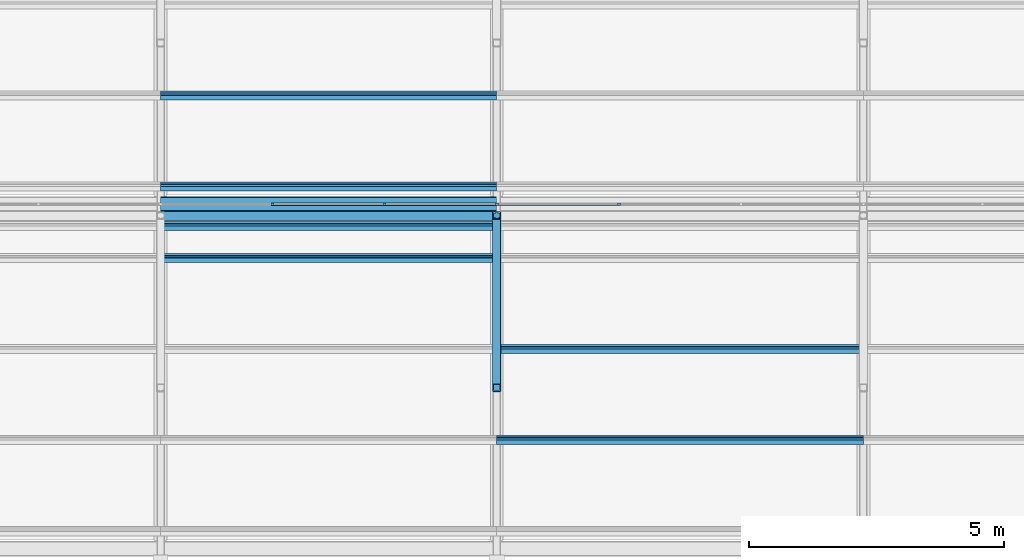
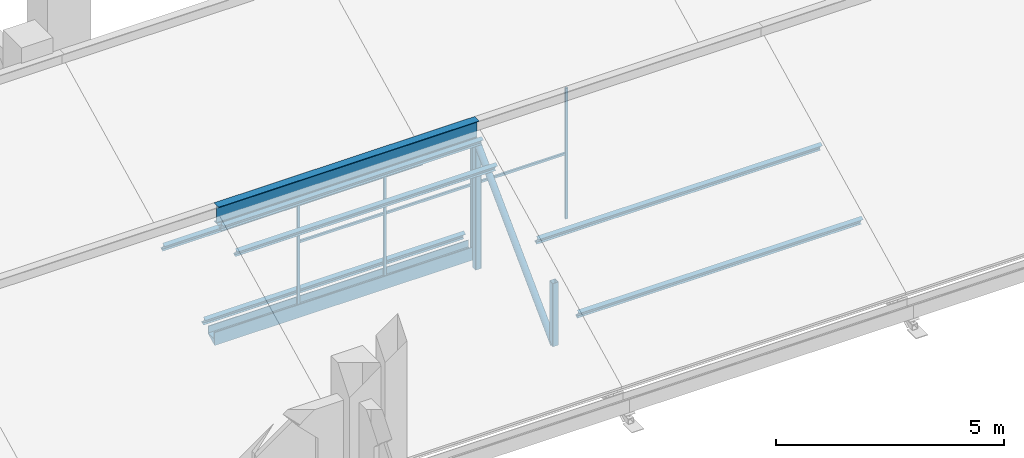
# One storey, part 8 of 29: 18 members, 2 elements without a shape of their own.
"""IFC4 building model written with IfcOpenShell, lengths in metres."""

from ifc_helpers import new_model, si_unit, direction, frame, origin, origin_2d, place, context, subcontext, project, spatial, polyline, rectangle, hollow_rectangle, hollow_circle, i_section, outline, extrude, material, material_profile, profile_set, type_object, element, aggregate, save


model = new_model("IFC4")

# Units and contexts
model_context = context("Model", 3, precision=1e-05, world=origin(), true_north=direction((0.0, 1.0)))
body_context = subcontext(model_context, "Body", "Model", "MODEL_VIEW")
ifc_project = project(units=[si_unit("LENGTHUNIT", "METRE"), si_unit("AREAUNIT", "SQUARE_METRE"), si_unit("VOLUMEUNIT", "CUBIC_METRE"), si_unit("PLANEANGLEUNIT", "RADIAN"), si_unit("MASSUNIT", "GRAM", prefix="KILO")], contexts=[model_context])

# Site, building, storey
site_placement = place(None, origin())
site = spatial("IfcSite", under=ifc_project, at=site_placement, CompositionType="ELEMENT")
building_placement = place(site_placement, origin())
building = spatial("IfcBuilding", under=site, at=building_placement, Name="Silangan Lancet Faculty of Sciences", CompositionType="ELEMENT")
storey_placement = place(building_placement, frame((0.0, 0.0, 40.800048828125)))
storey = spatial("IfcBuildingStorey", under=building, at=storey_placement, Name="L08", CompositionType="ELEMENT", Elevation=40.800048828125)

# Member
ifc_material_1 = material(Name="Steel SS400", Category="steel")
ifc_material_profile_1 = material_profile(ifc_material_1, i_section(OverallWidth=0.199951171875, OverallDepth=0.5, WebThickness=0.010009765625, FlangeThickness=0.01611328125, FilletRadius=0.02001953125, at=origin_2d()), Name="H 500x200x10x16")
ifc_profile_set_1 = profile_set([ifc_material_profile_1], Name="Steel SS400")
member_type_1 = type_object("IfcMemberType", Name="Exposed ridge beam H 500x200x10x16", PredefinedType="MEMBER", material=ifc_profile_set_1)
member_1_placement = place(storey_placement, frame((29.39990234375, 28.77001953125, 3.836669921875), z_axis=(1.0, 0.0, 0.0), x_axis=(0.0, 1.0, 0.0)))
element("IfcMember", 1, at=member_1_placement, inside=storey, type_object=member_type_1, Name="Exposed ridge beam ATRIUM-1-5", PredefinedType="MEMBER", context=body_context, shape_type="SweptSolid", body=[
    extrude(i_section(OverallWidth=0.199951171875, OverallDepth=0.5, WebThickness=0.010009765625, FlangeThickness=0.01611328125, FilletRadius=0.02001953125, at=origin_2d()), origin(), (0.0, 0.0, 1.0), 6.60009765625),
])

# Curtain wall, members
ifc_material_2 = material(Name="Aluminium and laminated glass", Category="aluminium")
curtain_wall_type = type_object("IfcCurtainWallType", Name="North light glazing system", PredefinedType="NOTDEFINED", material=ifc_material_2)
curtain_wall_1_placement = place(storey_placement, origin())
curtain_wall_1 = element("IfcCurtainWall", 2, at=curtain_wall_1_placement, inside=storey, type_object=curtain_wall_type, Name="North light glazing ATRIUM-1-5", PredefinedType="NOTDEFINED")
ifc_material_3 = material(Name="Aluminium 6063-T6", Category="aluminium")
ifc_material_profile_2 = material_profile(ifc_material_3, rectangle(XDim=0.06005859375, YDim=0.050048828125, at=origin_2d()), Name="AL 60x50")
ifc_profile_set_2 = profile_set([ifc_material_profile_2], Name="Aluminium 6063-T6")
member_type_2 = type_object("IfcMemberType", Name="North light mullion 60x50", PredefinedType="MULLION", material=ifc_profile_set_2)
member_2_placement = place(storey_placement, frame((31.60009765625, 28.9951171875, 0.442138671875), z_axis=(0.0, 0.0, 1.0), x_axis=(1.0, 0.0, 0.0)))
member_2 = element("IfcMember", 3, at=member_2_placement, type_object=member_type_2, Name="North light mullion ATRIUM-1-5 2", PredefinedType="MULLION", context=body_context, shape_type="SweptSolid", body=[
    extrude(rectangle(XDim=0.06005859375, YDim=0.050048828125, at=origin_2d()), origin(), (0.0, 0.0, 1.0), 3.502197265625),
])
member_3_placement = place(storey_placement, frame((33.800048828125, 28.9951171875, 0.442138671875), z_axis=(0.0, 0.0, 1.0), x_axis=(1.0, 0.0, 0.0)))
member_3 = element("IfcMember", 4, at=member_3_placement, type_object=member_type_2, Name="North light mullion ATRIUM-1-5 3", PredefinedType="MULLION", context=body_context, shape_type="SweptSolid", body=[
    extrude(rectangle(XDim=0.06005859375, YDim=0.050048828125, at=origin_2d()), origin(), (0.0, 0.0, 1.0), 3.502197265625),
])

curtain_wall_2_placement = place(storey_placement, origin())
curtain_wall_2 = element("IfcCurtainWall", 5, at=curtain_wall_2_placement, inside=storey, type_object=curtain_wall_type, Name="North light glazing ATRIUM-1-6", PredefinedType="NOTDEFINED")
member_4_placement = place(storey_placement, frame((36.0, 28.9951171875, 0.442138671875), z_axis=(0.0, 0.0, 1.0), x_axis=(1.0, 0.0, 0.0)))
member_4 = element("IfcMember", 6, at=member_4_placement, type_object=member_type_2, Name="North light mullion ATRIUM-1-6 1", PredefinedType="MULLION", context=body_context, shape_type="SweptSolid", body=[
    extrude(rectangle(XDim=0.06005859375, YDim=0.050048828125, at=origin_2d()), origin(), (0.0, 0.0, 1.0), 3.502197265625),
])
member_5_placement = place(storey_placement, frame((38.39990234375, 28.9951171875, 0.442138671875), z_axis=(0.0, 0.0, 1.0), x_axis=(1.0, 0.0, 0.0)))
member_5 = element("IfcMember", 7, at=member_5_placement, type_object=member_type_2, Name="North light mullion ATRIUM-1-6 2", PredefinedType="MULLION", context=body_context, shape_type="SweptSolid", body=[
    extrude(rectangle(XDim=0.06005859375, YDim=0.050048828125, at=origin_2d()), origin(), (0.0, 0.0, 1.0), 3.502197265625),
])

# Member
ifc_material_4 = material(Name="Aluminium 6063-T6", Category="aluminium")
ifc_material_profile_3 = material_profile(ifc_material_4, rectangle(XDim=0.050048828125, YDim=0.06005859375, at=origin_2d()), Name="AL 50x60")
ifc_profile_set_3 = profile_set([ifc_material_profile_3], Name="Aluminium 6063-T6")
member_type_3 = type_object("IfcMemberType", Name="North light transom 50x60", PredefinedType="USERDEFINED", material=ifc_profile_set_3)
member_6_placement = place(storey_placement, frame((31.6298828125, 28.9951171875, 2.193359375), z_axis=(1.0, 0.0, 0.0), x_axis=(0.0, 1.0, 0.0)))
member_6 = element("IfcMember", 8, at=member_6_placement, type_object=member_type_3, Name="North light transom ATRIUM-1-5 2", ObjectType="TRANSOM", PredefinedType="USERDEFINED", context=body_context, shape_type="SweptSolid", body=[
    extrude(rectangle(XDim=0.050048828125, YDim=0.06005859375, at=origin_2d()), origin(), (0.0, 0.0, 1.0), 2.14013671875),
])

member_7_placement = place(storey_placement, frame((33.830078125, 28.9951171875, 2.193359375), z_axis=(1.0, 0.0, 0.0), x_axis=(0.0, 1.0, 0.0)))
member_7 = element("IfcMember", 9, at=member_7_placement, type_object=member_type_3, Name="North light transom ATRIUM-1-5 3", ObjectType="TRANSOM", PredefinedType="USERDEFINED", context=body_context, shape_type="SweptSolid", body=[
    extrude(rectangle(XDim=0.050048828125, YDim=0.06005859375, at=origin_2d()), origin(), (0.0, 0.0, 1.0), 2.139892578125),
])

aggregate(curtain_wall_1, [member_2, member_3, member_6, member_7])

member_8_placement = place(storey_placement, frame((36.030029296875, 28.9951171875, 2.193359375), z_axis=(1.0, 0.0, 0.0), x_axis=(0.0, 1.0, 0.0)))
member_8 = element("IfcMember", 10, at=member_8_placement, type_object=member_type_3, Name="North light transom ATRIUM-1-6 1", ObjectType="TRANSOM", PredefinedType="USERDEFINED", context=body_context, shape_type="SweptSolid", body=[
    extrude(rectangle(XDim=0.050048828125, YDim=0.06005859375, at=origin_2d()), origin(), (0.0, 0.0, 1.0), 2.340087890625),
])

aggregate(curtain_wall_2, [member_4, member_5, member_8])

# Members
ifc_material_5 = material(Name="Steel SS400", Category="steel")
ifc_material_profile_4 = material_profile(ifc_material_5, i_section(OverallWidth=0.10009765625, OverallDepth=0.199951171875, WebThickness=0.005615234375, FlangeThickness=0.008056640625, FilletRadius=0.008056640625, at=origin_2d()), Name="H 200x100x5.5x8")
ifc_profile_set_4 = profile_set([ifc_material_profile_4], Name="Steel SS400")
member_type_4 = type_object("IfcMemberType", Name="Sheeting purlin H 200x100x5.5x8", PredefinedType="PURLIN", material=ifc_profile_set_4)
for number, where, z_axis, x_axis, name in (
    (11, (29.39990234375, 27.936767578125, 3.31494140625), (1.0, 0.0, 0.0), (0.0, 0.894427192382, 0.447213592736), "Sheeting purlin ATRIUM-1-5 4"),
    (12, (29.39990234375, 28.56201171875, 3.62744140625), (1.0, 0.0, 0.0), (0.0, 0.894427192382, 0.447213592736), "Sheeting purlin ATRIUM-1-5 5"),
    (13, (29.39990234375, 29.340087890625, 0.631591796875), (1.0, 0.0, 0.0), (0.0, 0.894427192382, 0.447213592736), "Sheeting purlin ATRIUM-2-5 1"),
    (14, (29.39990234375, 31.129150390625, 1.526123046875), (1.0, 0.0, 0.0), (0.0, 0.894427192382, 0.447213592736), "Sheeting purlin ATRIUM-2-5 2"),
):
    element("IfcMember", number, at=place(storey_placement, frame(where, z_axis=z_axis, x_axis=x_axis)), inside=storey, type_object=member_type_4, Name=name, PredefinedType="PURLIN", context=body_context, shape_type="SweptSolid", body=[
        extrude(i_section(OverallWidth=0.10009765625, OverallDepth=0.199951171875, WebThickness=0.005615234375, FlangeThickness=0.008056640625, FilletRadius=0.008056640625, at=origin_2d()), origin(), (0.0, 0.0, 1.0), 6.60009765625),
    ])
for number, where, z_axis, x_axis, name in (
    (15, (36.0, 24.359130859375, 1.526123046875), (1.0, 0.0, 0.0), (0.0, 0.894427192382, 0.447213592736), "Sheeting purlin ATRIUM-1-6 2"),
    (16, (36.0, 26.14794921875, 2.42041015625), (1.0, 0.0, 0.0), (0.0, 0.894427192382, 0.447213592736), "Sheeting purlin ATRIUM-1-6 3"),
):
    element("IfcMember", number, at=place(storey_placement, frame(where, z_axis=z_axis, x_axis=x_axis)), inside=storey, type_object=member_type_4, Name=name, PredefinedType="PURLIN", context=body_context, shape_type="SweptSolid", body=[
        extrude(i_section(OverallWidth=0.10009765625, OverallDepth=0.199951171875, WebThickness=0.005615234375, FlangeThickness=0.008056640625, FilletRadius=0.008056640625, at=origin_2d()), origin(), (0.0, 0.0, 1.0), 7.199951171875),
    ])
ifc_material_6 = material(Name="Steel STK400", Category="steel")
ifc_material_profile_5 = material_profile(ifc_material_6, hollow_circle(Radius=0.08251953125, WallThickness=0.0048828125, at=origin_2d()), Name="CHS 165.2x5.0")
ifc_profile_set_5 = profile_set([ifc_material_profile_5], Name="Steel STK400")
member_type_5 = type_object("IfcMemberType", Name="Truss diagonal CHS 165.2x5.0", PredefinedType="BRACE", material=ifc_profile_set_5)
member_9_placement = place(storey_placement, frame((36.0, 25.385009765625, 0.094970703125), z_axis=(0.0, 0.707106781187, 0.707106781187), x_axis=(-1.0, 0.0, 0.0)))
element("IfcMember", 17, at=member_9_placement, inside=storey, type_object=member_type_5, Name="Truss 6 diagonal 1", PredefinedType="BRACE", context=body_context, shape_type="SweptSolid", body=[
    extrude(hollow_circle(Radius=0.08251953125, WallThickness=0.0048828125, at=origin_2d()), origin(), (0.0, 0.0, 1.0), 4.787109375),
])
ifc_material_7 = material(Name="Steel STKR400", Category="steel")
ifc_material_profile_6 = material_profile(ifc_material_7, hollow_rectangle(XDim=0.14990234375, YDim=0.14990234375, WallThickness=0.006103515625, InnerFilletRadius=0.006103515625, OuterFilletRadius=0.011962890625, at=origin_2d()), Name="SHS 150x150x6.0")
ifc_profile_set_6 = profile_set([ifc_material_profile_6], Name="Steel STKR400")
member_type_6 = type_object("IfcMemberType", Name="Truss post SHS 150x150x6.0", PredefinedType="POST", material=ifc_profile_set_6)
member_10_placement = place(storey_placement, frame((36.0, 28.77001953125, 0.094970703125), z_axis=(0.0, 0.0, 1.0), x_axis=(1.0, 0.0, 0.0)))
element("IfcMember", 18, at=member_10_placement, inside=storey, type_object=member_type_6, Name="Truss 6 riser post 1", PredefinedType="POST", context=body_context, shape_type="SweptSolid", body=[
    extrude(hollow_rectangle(XDim=0.14990234375, YDim=0.14990234375, WallThickness=0.006103515625, InnerFilletRadius=0.006103515625, OuterFilletRadius=0.011962890625, at=origin_2d()), origin(), (0.0, 0.0, 1.0), 3.385009765625),
])
member_11_placement = place(storey_placement, frame((36.0, 25.385009765625, 0.094970703125), z_axis=(0.0, 0.0, 1.0), x_axis=(1.0, 0.0, 0.0)))
element("IfcMember", 19, at=member_11_placement, inside=storey, type_object=member_type_6, Name="Truss 6 mid post 1", PredefinedType="POST", context=body_context, shape_type="SweptSolid", body=[
    extrude(hollow_rectangle(XDim=0.14990234375, YDim=0.14990234375, WallThickness=0.006103515625, InnerFilletRadius=0.006103515625, OuterFilletRadius=0.011962890625, at=origin_2d()), origin(), (0.0, 0.0, 1.0), 1.6923828125),
])
ifc_material_8 = material(Name="Stainless steel", Category="steel")
ifc_material_profile_7 = material_profile(ifc_material_8, outline(polyline([(-0.14990234375, 0.0), (0.14990234375, 0.14990234375), (0.14990234375, 0.35009765625), (0.1298828125, 0.35009765625), (0.1298828125, 0.169921875), (-0.1298828125, 0.169921875), (-0.1298828125, 0.35009765625), (-0.14990234375, 0.35009765625), (-0.14990234375, 0.0)])), Name="valley gutter")
ifc_profile_set_7 = profile_set([ifc_material_profile_7], Name="Stainless steel")
member_type_7 = type_object("IfcMemberType", Name="Valley gutter 300 wide", PredefinedType="USERDEFINED", material=ifc_profile_set_7)
member_12_placement = place(storey_placement, frame((29.39990234375, 28.9951171875, 0.272216796875), z_axis=(1.0, 0.0, 0.0), x_axis=(0.0, 1.0, 0.0)))
element("IfcMember", 20, at=member_12_placement, inside=storey, type_object=member_type_7, Name="Valley gutter ATRIUM-2-5", ObjectType="GUTTER", PredefinedType="USERDEFINED", context=body_context, shape_type="SweptSolid", body=[
    extrude(outline(polyline([(-0.14990234375, 0.0), (0.14990234375, 0.14990234375), (0.14990234375, 0.35009765625), (0.1298828125, 0.35009765625), (0.1298828125, 0.169921875), (-0.1298828125, 0.169921875), (-0.1298828125, 0.35009765625), (-0.14990234375, 0.35009765625), (-0.14990234375, 0.0)])), origin(), (0.0, 0.0, 1.0), 6.60009765625),
])

save(model, "model.ifc")
